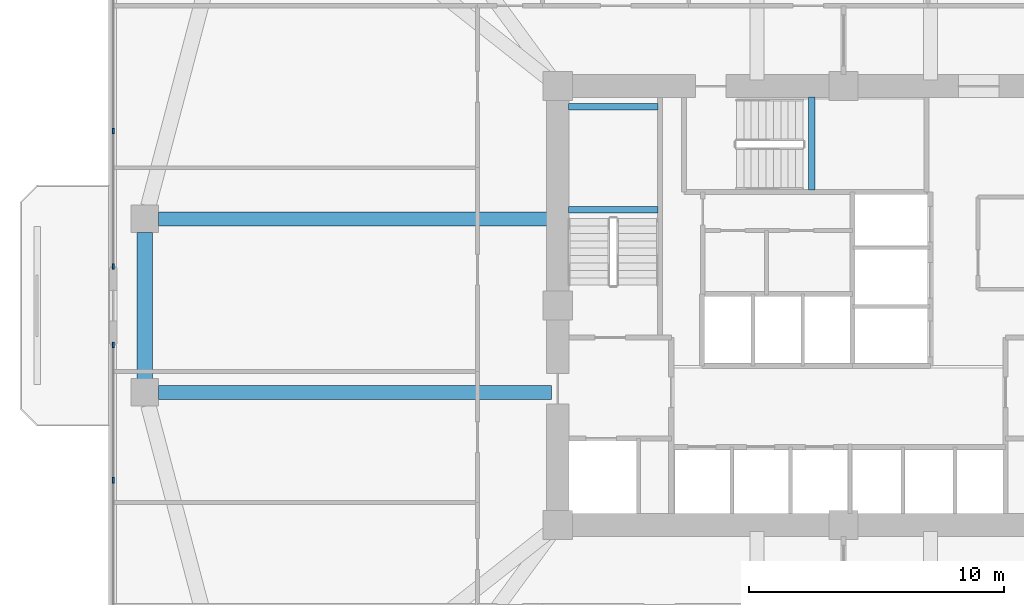
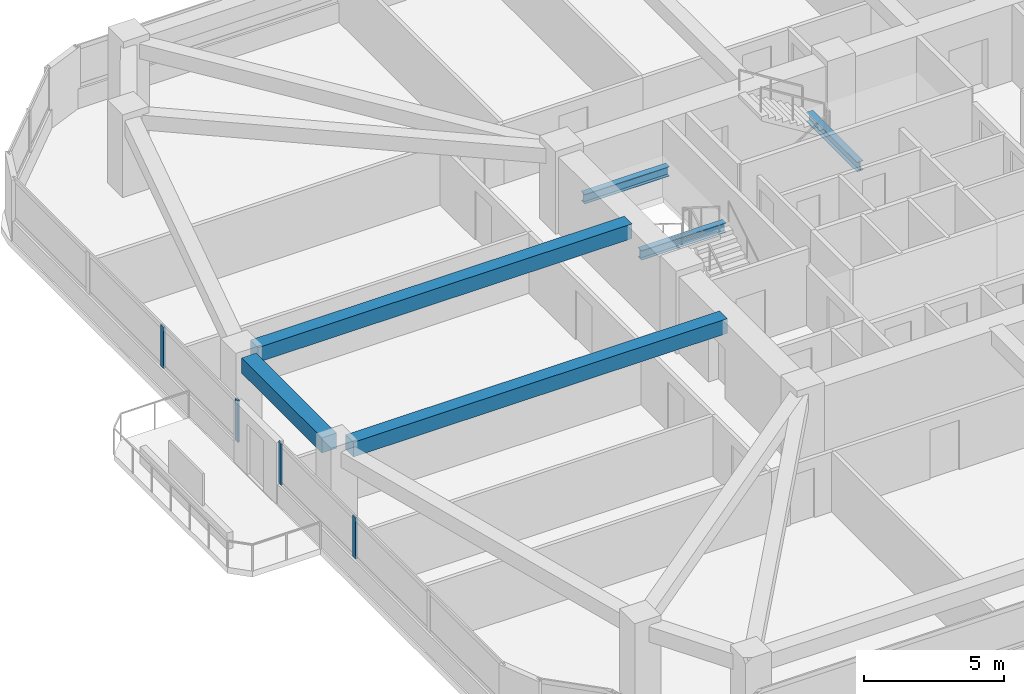
# One storey, part 4 of 15: 6 beams, 4 members, 2 elements without a shape of their own.
"""IFC4 building model written with IfcOpenShell, lengths in metres."""

import ifcopenshell
import ifcopenshell.guid

model = None  # the IFC model being written
_history = None  # IfcOwnerHistory: only IFC2X3 demands one
_inside = {}  # id of a spatial element -> (the spatial element, [elements in it])
_under = {}  # id of a project, library or spatial element -> (it, [spatial elements below it])
_declared = {}  # id of a project -> (the project, [libraries it declares])
_typed = {}  # id of a type object -> (the type object, [elements of that type])
_made_of = {}  # id of a material, layer set ... -> (it, [elements and type objects made of it])


def new_model(schema):
    """Start an empty IFC model of exactly this schema.

    Asked for "IFC4X3", IfcOpenShell would pick the latest addendum, in which some entities
    have other attributes; the version numbers below select the first issue.
    IFC2X3 requires an IfcOwnerHistory on every rooted entity: one is made here for all.
    """
    global model, _history
    if schema == "IFC4X3":
        model = ifcopenshell.file(schema_version=(4, 3, 0, 0))
    else:
        model = ifcopenshell.file(schema=schema)
    _inside.clear()
    _under.clear()
    _declared.clear()
    _typed.clear()
    _made_of.clear()
    _history = None
    if model.schema == "IFC2X3":
        org = make("IfcOrganization", Name="unknown")
        user = make(
            "IfcPersonAndOrganization",
            ThePerson=make("IfcPerson", FamilyName="unknown"),
            TheOrganization=org,
        )
        app = make(
            "IfcApplication",
            ApplicationDeveloper=org,
            Version="unknown",
            ApplicationFullName="unknown",
            ApplicationIdentifier="unknown",
        )
        _history = make(
            "IfcOwnerHistory",
            OwningUser=user,
            OwningApplication=app,
            ChangeAction="ADDED",
            CreationDate=0,
        )
    return model


def make(cls, **values):
    """One entity of the class cls with the attributes given. An attribute that is None is left unset."""
    return model.create_entity(
        cls, **{name: value for name, value in values.items() if value is not None}
    )


def rooted(cls, **values):
    """An entity with a GlobalId (a new one), such as an element, a storey or a relation."""
    return make(cls, GlobalId=ifcopenshell.guid.new(), OwnerHistory=_history, **values)


def si_unit(unit_type, name, prefix=None):
    """IfcSIUnit, for example si_unit("LENGTHUNIT", "METRE", prefix="MILLI")."""
    return make("IfcSIUnit", UnitType=unit_type, Prefix=prefix, Name=name)


def derived_unit(unit_type, elements):
    """IfcDerivedUnit: a product of units, each with its exponent."""
    return make(
        "IfcDerivedUnit",
        Elements=[
            make("IfcDerivedUnitElement", Unit=unit, Exponent=power)
            for unit, power in elements
        ],
        UnitType=unit_type,
    )


def assignment(units):
    """IfcUnitAssignment: the units of a project."""
    return None if units is None else make("IfcUnitAssignment", Units=units)


def point(xyz):
    """IfcCartesianPoint."""
    return None if xyz is None else make("IfcCartesianPoint", Coordinates=xyz)


def direction(xyz):
    """IfcDirection."""
    return None if xyz is None else make("IfcDirection", DirectionRatios=xyz)


def frame(location, z_axis=None, x_axis=None):
    """IfcAxis2Placement3D, a coordinate frame: its origin and axes. An axis left out is left unset."""
    return make(
        "IfcAxis2Placement3D",
        Location=point(location),
        Axis=direction(z_axis),
        RefDirection=direction(x_axis),
    )


def frame_2d(location, x_axis=None):
    """IfcAxis2Placement2D, a coordinate frame in the plane: its origin and x axis."""
    return make(
        "IfcAxis2Placement2D", Location=point(location), RefDirection=direction(x_axis)
    )


def origin():
    """The frame at (0, 0, 0) with its axes left unset."""
    return frame((0.0, 0.0, 0.0))


def origin_2d():
    """The frame at (0, 0) in the plane with its x axis left unset."""
    return frame_2d((0.0, 0.0))


def place(relative_to, where):
    """IfcLocalPlacement: puts the frame where relative to a parent placement (None: the world)."""
    return make(
        "IfcLocalPlacement", PlacementRelTo=relative_to, RelativePlacement=where
    )


def context(
    kind, dimensions, precision=None, world=None, true_north=None, identifier=None
):
    """IfcGeometricRepresentationContext, for example the 3D "Model" context."""
    return make(
        "IfcGeometricRepresentationContext",
        ContextIdentifier=identifier,
        ContextType=kind,
        CoordinateSpaceDimension=dimensions,
        Precision=precision,
        WorldCoordinateSystem=world,
        TrueNorth=true_north,
    )


def subcontext(parent, identifier, kind, view, scale=None):
    """IfcGeometricRepresentationSubContext, for example "Body" below "Model"."""
    return make(
        "IfcGeometricRepresentationSubContext",
        ContextIdentifier=identifier,
        ContextType=kind,
        ParentContext=parent,
        TargetScale=scale,
        TargetView=view,
    )


def project(units=None, contexts=None):
    """IfcProject with its units and contexts."""
    return rooted(
        "IfcProject",
        Name="project",
        RepresentationContexts=contexts,
        UnitsInContext=assignment(units),
    )


def spatial(cls, under=None, at=None, **own):
    """A site, building, storey or space (cls), placed at a placement, below another one or the project."""
    s = rooted(cls, ObjectPlacement=at, **own)
    if under is not None:
        _under.setdefault(under.id(), (under, []))[1].append(s)
    return s


def profile(cls, at=None, kind="AREA", **sizes):
    """A parametric profile (cls). Its sizes go by their IFC names, for example OverallWidth=200.0."""
    return make(cls, ProfileType=kind, Position=at, **sizes)


def rectangle(**sizes):
    """IfcRectangleProfileDef."""
    return profile("IfcRectangleProfileDef", **sizes)


def i_section(**sizes):
    """IfcIShapeProfileDef."""
    return profile("IfcIShapeProfileDef", **sizes)


def extrude(swept, where, along, depth):
    """IfcExtrudedAreaSolid: the profile swept, set in the frame where, extruded along a direction by depth."""
    return make(
        "IfcExtrudedAreaSolid",
        SweptArea=swept,
        Position=where,
        ExtrudedDirection=direction(along),
        Depth=depth,
    )


def shape(context_of_items, identifier, shape_type, items):
    """IfcShapeRepresentation: the items that make up one representation, for example the "Body"."""
    return make(
        "IfcShapeRepresentation",
        ContextOfItems=context_of_items,
        RepresentationIdentifier=identifier,
        RepresentationType=shape_type,
        Items=items,
    )


def material(Name=None, Category=None):
    """IfcMaterial."""
    return make("IfcMaterial", Name=Name, Category=Category)


def material_profile(
    of_material, cross_section, Name=None, Category=None, Priority=None
):
    """IfcMaterialProfile: a cross section and its material."""
    return make(
        "IfcMaterialProfile",
        Name=Name,
        Material=of_material,
        Profile=cross_section,
        Priority=Priority,
        Category=Category,
    )


def profile_set(profiles, Name=None, composite=None):
    """IfcMaterialProfileSet."""
    return make(
        "IfcMaterialProfileSet",
        Name=Name,
        MaterialProfiles=profiles,
        CompositeProfile=composite,
    )


def made_of(thing, what):
    """Note that an element or type object is made of a material, layer set ...; save() writes the relation."""
    if what is not None:
        _made_of.setdefault(what.id(), (what, []))[1].append(thing)
    return thing


def type_object(cls, material=None, **own):
    """A type object (cls), such as IfcWallType, which elements share."""
    return made_of(rooted(cls, **own), material)


def element(
    cls,
    number,
    at=None,
    inside=None,
    cuts=None,
    type_object=None,
    material=None,
    context=None,
    identifier="Body",
    shape_type=None,
    held_by="IfcProductDefinitionShape",
    body=None,
    shapes=None,
    **own,
):
    """One element of the class cls, such as IfcWall. Its Tag is "e" and its number.

    at: its placement. inside: the storey or other place that contains it. cuts: it is an
    opening in that element (IfcRelVoidsElement). A single representation is given by context,
    identifier, shape_type and body (its items); several are given by shapes. held_by: the class
    of the entity that holds the representations. save() writes the other relations.
    """
    e = rooted(cls, Tag="e%d" % number, ObjectPlacement=at, **own)
    if body is not None:
        shapes = [shape(context, identifier, shape_type, body)]
    if shapes is not None:
        e.Representation = make(held_by, Representations=shapes)
    if inside is not None:
        _inside.setdefault(inside.id(), (inside, []))[1].append(e)
    if cuts is not None:
        rooted(
            "IfcRelVoidsElement", RelatingBuildingElement=cuts, RelatedOpeningElement=e
        )
    if type_object is not None:
        _typed.setdefault(type_object.id(), (type_object, []))[1].append(e)
    return made_of(e, material)


def aggregate(whole, parts):
    """IfcRelAggregates: a whole, such as a stair, and the parts it consists of."""
    return rooted("IfcRelAggregates", RelatingObject=whole, RelatedObjects=parts)


def save(model, path):
    """Write the relations noted so far, then the file.

    IfcRelAggregates (storeys below a building ...), IfcRelContainedInSpatialStructure (elements
    in a storey), IfcRelDefinesByType, IfcRelAssociatesMaterial and IfcRelDeclares: one each for
    every whole, place, type object, material and project.
    """
    for whole, parts in _under.values():
        aggregate(whole, parts)
    for where, things in _inside.values():
        rooted(
            "IfcRelContainedInSpatialStructure",
            RelatedElements=things,
            RelatingStructure=where,
        )
    for kind, things in _typed.values():
        rooted("IfcRelDefinesByType", RelatedObjects=things, RelatingType=kind)
    for what, things in _made_of.values():
        rooted("IfcRelAssociatesMaterial", RelatedObjects=things, RelatingMaterial=what)
    for by, libraries in _declared.values():
        rooted("IfcRelDeclares", RelatingContext=by, RelatedDefinitions=libraries)
    model.write(path)


model = new_model("IFC4")

# Units and contexts
model_context = context("Model", 3, precision=1e-05, world=origin(), true_north=direction((0.0, 1.0)))
body_context = subcontext(model_context, "Body", "Model", "MODEL_VIEW")
ifc_project = project(units=[si_unit("LENGTHUNIT", "METRE"), si_unit("AREAUNIT", "SQUARE_METRE"), si_unit("VOLUMEUNIT", "CUBIC_METRE"), si_unit("PLANEANGLEUNIT", "RADIAN"), si_unit("MASSUNIT", "GRAM", prefix="KILO"), derived_unit("THERMALTRANSMITTANCEUNIT", [(si_unit("POWERUNIT", "WATT"), 1), (si_unit("LENGTHUNIT", "METRE"), -2), (si_unit("THERMODYNAMICTEMPERATUREUNIT", "KELVIN"), -1)])], contexts=[model_context])

# Site, building, storey
site_placement = place(None, origin())
site = spatial("IfcSite", under=ifc_project, at=site_placement, CompositionType="ELEMENT")
building_placement = place(site_placement, origin())
building = spatial("IfcBuilding", under=site, at=building_placement, Name="Koralith Skygarden Medical Center", CompositionType="ELEMENT")
storey_placement = place(building_placement, frame((0.0, 0.0, 56.340087890625)))
storey = spatial("IfcBuildingStorey", under=building, at=storey_placement, Name="L14", CompositionType="ELEMENT", Elevation=56.340087890625)

# Curtain wall, members
ifc_material_1 = material(Name="Clear Laminated Glass", Category="glass")
curtain_wall_type = type_object("IfcCurtainWallType", Name="CW-2 Zone 1 Hurricane Unitised Curtain Wall", PredefinedType="NOTDEFINED", material=ifc_material_1)
curtain_wall_1_placement = place(storey_placement, origin())
curtain_wall_1 = element("IfcCurtainWall", 1, at=curtain_wall_1_placement, inside=storey, type_object=curtain_wall_type, Name="Curtain Wall CW-L14-W-L", PredefinedType="NOTDEFINED")
ifc_material_2 = material(Name="Aluminium 6063-T6", Category="aluminium")
ifc_material_profile_1 = material_profile(ifc_material_2, rectangle(XDim=0.071044921875, YDim=0.219970703125, at=origin_2d()), Name="MUL71X220")
ifc_profile_set_1 = profile_set([ifc_material_profile_1], Name="Aluminium 6063-T6")
member_type = type_object("IfcMemberType", Name="CW-2 Extruded Mullion 71x220", PredefinedType="MULLION", material=ifc_profile_set_1)
member_1_placement = place(storey_placement, frame((8.3798828125, 32.741943359375, 0.849853515625), z_axis=(0.0, 0.0, 1.0), x_axis=(1.0, 0.0, 0.0)))
member_1 = element("IfcMember", 2, at=member_1_placement, type_object=member_type, Name="CW-L14-W-L Mullion 3", PredefinedType="MULLION", context=body_context, shape_type="SweptSolid", body=[
    extrude(rectangle(XDim=0.071044921875, YDim=0.219970703125, at=origin_2d()), origin(), (0.0, 0.0, 1.0), 1.800048828125),
])
member_2_placement = place(storey_placement, frame((8.3798828125, 27.43994140625, 0.849853515625), z_axis=(0.0, 0.0, 1.0), x_axis=(1.0, 0.0, 0.0)))
member_2 = element("IfcMember", 3, at=member_2_placement, type_object=member_type, Name="CW-L14-W-L Mullion 4", PredefinedType="MULLION", context=body_context, shape_type="SweptSolid", body=[
    extrude(rectangle(XDim=0.071044921875, YDim=0.219970703125, at=origin_2d()), origin(), (0.0, 0.0, 1.0), 1.800048828125),
])
aggregate(curtain_wall_1, [member_1, member_2])

curtain_wall_2_placement = place(storey_placement, origin())
curtain_wall_2 = element("IfcCurtainWall", 4, at=curtain_wall_2_placement, inside=storey, type_object=curtain_wall_type, Name="Curtain Wall CW-L14-W-R", PredefinedType="NOTDEFINED")
member_3_placement = place(storey_placement, frame((8.3798828125, 24.360107421875, 0.849853515625), z_axis=(0.0, 0.0, 1.0), x_axis=(1.0, 0.0, 0.0)))
member_3 = element("IfcMember", 5, at=member_3_placement, type_object=member_type, Name="CW-L14-W-R Mullion 1", PredefinedType="MULLION", context=body_context, shape_type="SweptSolid", body=[
    extrude(rectangle(XDim=0.071044921875, YDim=0.219970703125, at=origin_2d()), origin(), (0.0, 0.0, 1.0), 1.800048828125),
])
member_4_placement = place(storey_placement, frame((8.3798828125, 19.05810546875, 0.849853515625), z_axis=(0.0, 0.0, 1.0), x_axis=(1.0, 0.0, 0.0)))
member_4 = element("IfcMember", 6, at=member_4_placement, type_object=member_type, Name="CW-L14-W-R Mullion 2", PredefinedType="MULLION", context=body_context, shape_type="SweptSolid", body=[
    extrude(rectangle(XDim=0.071044921875, YDim=0.219970703125, at=origin_2d()), origin(), (0.0, 0.0, 1.0), 1.800048828125),
])
aggregate(curtain_wall_2, [member_3, member_4])

# Beams
ifc_material_3 = material(Name="Steel ASTM A992 Grade 50", Category="steel")
ifc_material_profile_2 = material_profile(ifc_material_3, i_section(OverallWidth=0.260009765625, OverallDepth=0.4150390625, WebThickness=0.010009765625, FlangeThickness=0.016845703125, at=origin_2d()), Name="W16X67")
ifc_profile_set_2 = profile_set([ifc_material_profile_2], Name="Steel ASTM A992 Grade 50")
beam_type_1 = type_object("IfcBeamType", Name="Clinical Floor Joist W16X67", PredefinedType="JOIST", material=ifc_profile_set_2)
for number, where, z_axis, x_axis, name in (
    (7, (26.22998046875, 29.659912109375, 1.391845703125), (1.0, 0.0, 0.0), (0.0, 1.0, 0.0), "L14 Stair ST1 Half-Landing Support Beam 1A"),
    (8, (26.22998046875, 33.699951171875, 1.391845703125), (1.0, 0.0, 0.0), (0.0, 1.0, 0.0), "L14 Stair ST1 Half-Landing Support Beam 1B"),
):
    element("IfcBeam", number, at=place(storey_placement, frame(where, z_axis=z_axis, x_axis=x_axis)), inside=storey, type_object=beam_type_1, Name=name, PredefinedType="JOIST", context=body_context, shape_type="SweptSolid", body=[
        extrude(i_section(OverallWidth=0.260009765625, OverallDepth=0.4150390625, WebThickness=0.010009765625, FlangeThickness=0.016845703125, at=origin_2d()), origin(), (0.0, 0.0, 1.0), 3.489990234375),
    ])
beam_1_placement = place(storey_placement, frame((35.760009765625, 30.43994140625, 1.391845703125), z_axis=(0.0, 1.0, 0.0), x_axis=(-1.0, 0.0, 0.0)))
element("IfcBeam", 9, at=beam_1_placement, inside=storey, type_object=beam_type_1, Name="L14 Stair ST3 Half-Landing Support Beam 1A", PredefinedType="JOIST", context=body_context, shape_type="SweptSolid", body=[
    extrude(i_section(OverallWidth=0.260009765625, OverallDepth=0.4150390625, WebThickness=0.010009765625, FlangeThickness=0.016845703125, at=origin_2d()), origin(), (0.0, 0.0, 1.0), 3.630126953125),
])
ifc_material_4 = material(Name="Concrete C45/55", Category="concrete")
ifc_material_profile_3 = material_profile(ifc_material_4, rectangle(XDim=0.550048828125, YDim=0.639892578125, at=origin_2d()), Name="RCB550X640")
ifc_profile_set_3 = profile_set([ifc_material_profile_3], Name="Concrete C45/55")
beam_type_2 = type_object("IfcBeamType", Name="Radial Collector Beam RCB550X640", PredefinedType="BEAM", material=ifc_profile_set_3)
for number, where, z_axis, x_axis, name in (
    (10, (25.550048828125, 22.5, 3.0), (-1.0, 0.0, 0.0), (0.0, -1.0, 0.0), "L14 Radial Collector Beam RB-01"),
    (11, (25.550048828125, 29.300048828125, 3.0), (-1.0, 0.0, 0.0), (0.0, -1.0, 0.0), "L14 Radial Collector Beam RB-16"),
):
    element("IfcBeam", number, at=place(storey_placement, frame(where, z_axis=z_axis, x_axis=x_axis)), inside=storey, type_object=beam_type_2, Name=name, PredefinedType="BEAM", context=body_context, shape_type="SweptSolid", body=[
        extrude(rectangle(XDim=0.550048828125, YDim=0.639892578125, at=origin_2d()), origin(), (0.0, 0.0, 1.0), 15.400146484375),
    ])
ifc_material_profile_4 = material_profile(ifc_material_4, rectangle(XDim=0.60009765625, YDim=0.659912109375, at=origin_2d()), Name="RCB600X660")
ifc_profile_set_4 = profile_set([ifc_material_profile_4], Name="Concrete C45/55")
beam_type_3 = type_object("IfcBeamType", Name="Zone 1 Spandrel Beam RCB600X660", PredefinedType="SPANDREL", material=ifc_profile_set_4)
beam_2_placement = place(storey_placement, frame((9.6201171875, 28.77001953125, 2.989990234375), z_axis=(0.0, -1.0, 0.0), x_axis=(1.0, 0.0, 0.0)))
element("IfcBeam", 12, at=beam_2_placement, inside=storey, type_object=beam_type_3, Name="L14 Perimeter Spandrel Beam SP-16", PredefinedType="SPANDREL", context=body_context, shape_type="SweptSolid", body=[
    extrude(rectangle(XDim=0.60009765625, YDim=0.659912109375, at=origin_2d()), origin(), (0.0, 0.0, 1.0), 5.739990234375),
])

save(model, "model.ifc")
